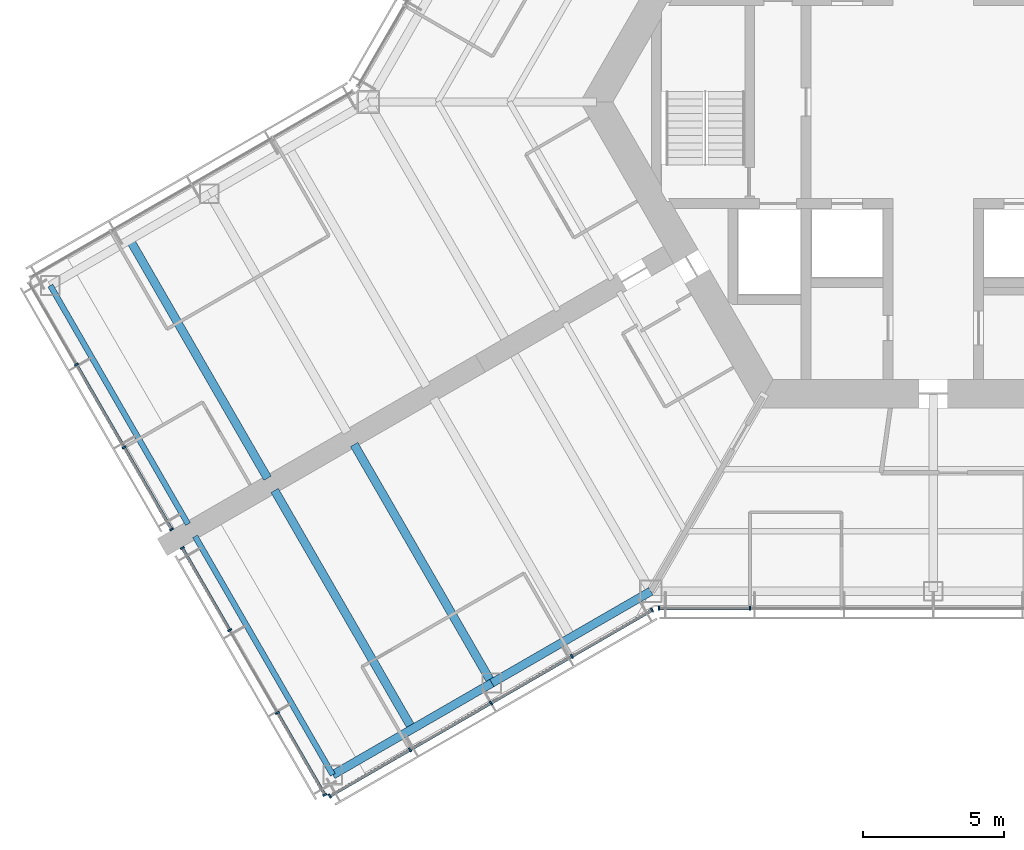
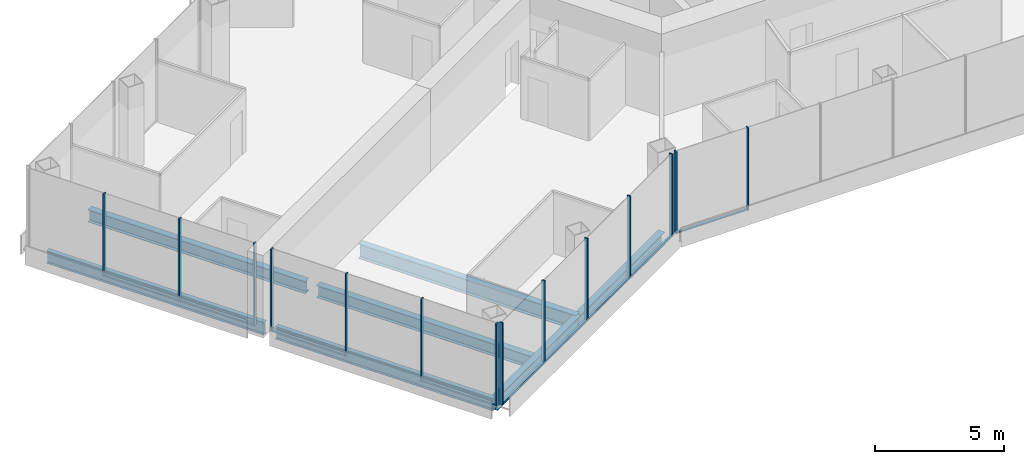
# One storey, part 2 of 18: 23 members, 7 beams, 4 elements without a shape of their own.
"""IFC4 building model written with IfcOpenShell, lengths in metres."""

from ifc_helpers import new_model, si_unit, direction, frame, origin, origin_2d, place, context, subcontext, project, spatial, rectangle, i_section, extrude, material, material_profile, profile_set, type_object, element, aggregate, save


model = new_model("IFC4")

# Units and contexts
model_context = context("Model", 3, precision=1e-05, world=origin(), true_north=direction((0.0, 1.0)))
body_context = subcontext(model_context, "Body", "Model", "MODEL_VIEW")
ifc_project = project(units=[si_unit("LENGTHUNIT", "METRE"), si_unit("AREAUNIT", "SQUARE_METRE"), si_unit("VOLUMEUNIT", "CUBIC_METRE"), si_unit("PLANEANGLEUNIT", "RADIAN"), si_unit("MASSUNIT", "GRAM", prefix="KILO")], contexts=[model_context])

# Site, building, storey
site_placement = place(None, origin())
site = spatial("IfcSite", under=ifc_project, at=site_placement, CompositionType="ELEMENT")
building_placement = place(site_placement, origin())
building = spatial("IfcBuilding", under=site, at=building_placement, Name="Kasaneha Research Tower", CompositionType="ELEMENT")
storey_placement = place(building_placement, frame((0.0, 0.0, 172.10009765625)))
storey = spatial("IfcBuildingStorey", under=building, at=storey_placement, Name="L43", CompositionType="ELEMENT", Elevation=172.10009765625)

# Beams
ifc_material_1 = material(Name="Steel SN490B", Category="steel")
ifc_material_profile_1 = material_profile(ifc_material_1, i_section(OverallWidth=0.300048828125, OverallDepth=0.58203125, WebThickness=0.011962890625, FlangeThickness=0.01708984375, FilletRadius=0.012939453125, at=origin_2d()), Name="H-582x300x12x17")
ifc_profile_set_1 = profile_set([ifc_material_profile_1], Name="Steel SN490B")
beam_type_1 = type_object("IfcBeamType", Name="B2-3 secondary beam H-582x300x12x17", PredefinedType="JOIST", material=ifc_profile_set_1)
for number, where, z_axis, x_axis, name in (
    (1, (-28.44384765625, -4.875, -0.441162109375), (0.499995560238, -0.866027967067, 0.0), (0.866027967067, 0.499995560238, 0.0), "Secondary beam WBBP2 L43"),
    (2, (-18.44384765625, -22.195556640625, -0.441162109375), (-0.499995560238, 0.866027967067, 0.0), (-0.866027967067, -0.499995560238, 0.0), "Secondary beam WBBN2 L43"),
):
    element("IfcBeam", number, at=place(storey_placement, frame(where, z_axis=z_axis, x_axis=x_axis)), inside=storey, type_object=beam_type_1, Name=name, PredefinedType="JOIST", context=body_context, shape_type="SweptSolid", body=[
        extrude(i_section(OverallWidth=0.300048828125, OverallDepth=0.58203125, WebThickness=0.011962890625, FlangeThickness=0.01708984375, FilletRadius=0.012939453125, at=origin_2d()), origin(), (0.0, 0.0, 1.0), 9.75),
    ])

# Curtain wall, members
ifc_material_2 = material(Name="Glass and aluminium", Category="aluminium")
curtain_wall_type = type_object("IfcCurtainWallType", Name="Mid-rise office curtain wall", PredefinedType="USERDEFINED", material=ifc_material_2)
curtain_wall_1_placement = place(storey_placement, origin())
curtain_wall_1 = element("IfcCurtainWall", 3, at=curtain_wall_1_placement, inside=storey, type_object=curtain_wall_type, Name="CW-O2 L43 run 01a", ObjectType="UNITISED CURTAIN WALL", PredefinedType="USERDEFINED")
ifc_material_3 = material(Name="Aluminium 6063-T6", Category="aluminium")
ifc_material_profile_2 = material_profile(ifc_material_3, rectangle(XDim=0.06005859375, YDim=0.14990234375, at=origin_2d()), Name="CW-O2 mullion 60x150")
ifc_profile_set_2 = profile_set([ifc_material_profile_2], Name="Aluminium 6063-T6")
member_type_1 = type_object("IfcMemberType", Name="CW-O2 mullion", PredefinedType="MULLION", material=ifc_profile_set_2)
member_1_placement = place(storey_placement, frame((-9.709228515625, -17.92041015625, 0.0), z_axis=(0.0, 0.0, 1.0), x_axis=(1.0, 0.0, 0.0)))
member_1 = element("IfcMember", 4, at=member_1_placement, type_object=member_type_1, Name="CW-O2 mullion 1", PredefinedType="MULLION", context=body_context, shape_type="SweptSolid", body=[
    extrude(rectangle(XDim=0.06005859375, YDim=0.14990234375, at=origin_2d()), origin(), (0.0, 0.0, 1.0), 3.89990234375),
])
member_2_placement = place(storey_placement, frame((-6.492919921875, -17.92041015625, 0.0), z_axis=(0.0, 0.0, 1.0), x_axis=(1.0, 0.0, 0.0)))
member_2 = element("IfcMember", 5, at=member_2_placement, type_object=member_type_1, Name="CW-O2 mullion 2", PredefinedType="MULLION", context=body_context, shape_type="SweptSolid", body=[
    extrude(rectangle(XDim=0.06005859375, YDim=0.14990234375, at=origin_2d()), origin(), (0.0, 0.0, 1.0), 3.89990234375),
])

curtain_wall_2_placement = place(storey_placement, origin())
curtain_wall_2 = element("IfcCurtainWall", 6, at=curtain_wall_2_placement, inside=storey, type_object=curtain_wall_type, Name="CW-O2 L43 run 10a", ObjectType="UNITISED CURTAIN WALL", PredefinedType="USERDEFINED")
member_3_placement = place(storey_placement, frame((-30.336181640625, -9.297119140625, 0.0), z_axis=(0.0, 0.0, 1.0), x_axis=(0.500000011442, -0.866025397178, 0.0)))
member_3 = element("IfcMember", 7, at=member_3_placement, type_object=member_type_1, Name="CW-O2 mullion 2", PredefinedType="MULLION", context=body_context, shape_type="SweptSolid", body=[
    extrude(rectangle(XDim=0.06005859375, YDim=0.14990234375, at=origin_2d()), origin(), (0.0, 0.0, 1.0), 3.89990234375),
])
member_4_placement = place(storey_placement, frame((-28.64453125, -12.22705078125, 0.0), z_axis=(0.0, 0.0, 1.0), x_axis=(0.500000011442, -0.866025397178, 0.0)))
member_4 = element("IfcMember", 8, at=member_4_placement, type_object=member_type_1, Name="CW-O2 mullion 3", PredefinedType="MULLION", context=body_context, shape_type="SweptSolid", body=[
    extrude(rectangle(XDim=0.06005859375, YDim=0.14990234375, at=origin_2d()), origin(), (0.0, 0.0, 1.0), 3.89990234375),
])
member_5_placement = place(storey_placement, frame((-26.968017578125, -15.131103515625, 0.0), z_axis=(0.0, 0.0, 1.0), x_axis=(0.500000011442, -0.866025397178, 0.0)))
member_5 = element("IfcMember", 9, at=member_5_placement, type_object=member_type_1, Name="CW-O2 mullion 4", PredefinedType="MULLION", context=body_context, shape_type="SweptSolid", body=[
    extrude(rectangle(XDim=0.06005859375, YDim=0.14990234375, at=origin_2d()), origin(), (0.0, 0.0, 1.0), 3.89990234375),
])

curtain_wall_3_placement = place(storey_placement, origin())
curtain_wall_3 = element("IfcCurtainWall", 10, at=curtain_wall_3_placement, inside=storey, type_object=curtain_wall_type, Name="CW-O2 L43 run 11a", ObjectType="UNITISED CURTAIN WALL", PredefinedType="USERDEFINED")
member_6_placement = place(storey_placement, frame((-26.587890625, -15.789306640625, 0.0), z_axis=(0.0, 0.0, 1.0), x_axis=(0.500000011442, -0.866025397178, 0.0)))
member_6 = element("IfcMember", 11, at=member_6_placement, type_object=member_type_1, Name="CW-O2 mullion 1", PredefinedType="MULLION", context=body_context, shape_type="SweptSolid", body=[
    extrude(rectangle(XDim=0.06005859375, YDim=0.14990234375, at=origin_2d()), origin(), (0.0, 0.0, 1.0), 3.89990234375),
])
member_7_placement = place(storey_placement, frame((-24.911376953125, -18.693359375, 0.0), z_axis=(0.0, 0.0, 1.0), x_axis=(0.500000011442, -0.866025397178, 0.0)))
member_7 = element("IfcMember", 12, at=member_7_placement, type_object=member_type_1, Name="CW-O2 mullion 2", PredefinedType="MULLION", context=body_context, shape_type="SweptSolid", body=[
    extrude(rectangle(XDim=0.06005859375, YDim=0.14990234375, at=origin_2d()), origin(), (0.0, 0.0, 1.0), 3.89990234375),
])
member_8_placement = place(storey_placement, frame((-23.2197265625, -21.62353515625, 0.0), z_axis=(0.0, 0.0, 1.0), x_axis=(0.500000011442, -0.866025397178, 0.0)))
member_8 = element("IfcMember", 13, at=member_8_placement, type_object=member_type_1, Name="CW-O2 mullion 3", PredefinedType="MULLION", context=body_context, shape_type="SweptSolid", body=[
    extrude(rectangle(XDim=0.06005859375, YDim=0.14990234375, at=origin_2d()), origin(), (0.0, 0.0, 1.0), 3.89990234375),
])
member_9_placement = place(storey_placement, frame((-21.54296875, -24.527587890625, 0.0), z_axis=(0.0, 0.0, 1.0), x_axis=(0.500000011442, -0.866025397178, 0.0)))
member_9 = element("IfcMember", 14, at=member_9_placement, type_object=member_type_1, Name="CW-O2 mullion 4", PredefinedType="MULLION", context=body_context, shape_type="SweptSolid", body=[
    extrude(rectangle(XDim=0.06005859375, YDim=0.14990234375, at=origin_2d()), origin(), (0.0, 0.0, 1.0), 3.89990234375),
])

curtain_wall_4_placement = place(storey_placement, origin())
curtain_wall_4 = element("IfcCurtainWall", 15, at=curtain_wall_4_placement, inside=storey, type_object=curtain_wall_type, Name="CW-O2 L43 run 12a", ObjectType="UNITISED CURTAIN WALL", PredefinedType="USERDEFINED")
member_10_placement = place(storey_placement, frame((-21.365478515625, -24.5751953125, 0.0), z_axis=(0.0, 0.0, 1.0), x_axis=(0.866025411464, 0.499999986699, 0.0)))
member_10 = element("IfcMember", 16, at=member_10_placement, type_object=member_type_1, Name="CW-O2 mullion 1", PredefinedType="MULLION", context=body_context, shape_type="SweptSolid", body=[
    extrude(rectangle(XDim=0.06005859375, YDim=0.14990234375, at=origin_2d()), origin(), (0.0, 0.0, 1.0), 3.89990234375),
])
member_11_placement = place(storey_placement, frame((-18.52490234375, -22.935302734375, 0.0), z_axis=(0.0, 0.0, 1.0), x_axis=(0.866025411464, 0.499999986699, 0.0)))
member_11 = element("IfcMember", 17, at=member_11_placement, type_object=member_type_1, Name="CW-O2 mullion 2", PredefinedType="MULLION", context=body_context, shape_type="SweptSolid", body=[
    extrude(rectangle(XDim=0.06005859375, YDim=0.14990234375, at=origin_2d()), origin(), (0.0, 0.0, 1.0), 3.89990234375),
])
member_12_placement = place(storey_placement, frame((-15.65869140625, -21.2802734375, 0.0), z_axis=(0.0, 0.0, 1.0), x_axis=(0.866025411464, 0.499999986699, 0.0)))
member_12 = element("IfcMember", 18, at=member_12_placement, type_object=member_type_1, Name="CW-O2 mullion 3", PredefinedType="MULLION", context=body_context, shape_type="SweptSolid", body=[
    extrude(rectangle(XDim=0.06005859375, YDim=0.14990234375, at=origin_2d()), origin(), (0.0, 0.0, 1.0), 3.89990234375),
])
member_13_placement = place(storey_placement, frame((-12.792236328125, -19.62548828125, 0.0), z_axis=(0.0, 0.0, 1.0), x_axis=(0.866025411464, 0.499999986699, 0.0)))
member_13 = element("IfcMember", 19, at=member_13_placement, type_object=member_type_1, Name="CW-O2 mullion 4", PredefinedType="MULLION", context=body_context, shape_type="SweptSolid", body=[
    extrude(rectangle(XDim=0.06005859375, YDim=0.14990234375, at=origin_2d()), origin(), (0.0, 0.0, 1.0), 3.89990234375),
])
member_14_placement = place(storey_placement, frame((-9.951904296875, -17.985595703125, 0.0), z_axis=(0.0, 0.0, 1.0), x_axis=(0.866025411464, 0.499999986699, 0.0)))
member_14 = element("IfcMember", 20, at=member_14_placement, type_object=member_type_1, Name="CW-O2 mullion 5", PredefinedType="MULLION", context=body_context, shape_type="SweptSolid", body=[
    extrude(rectangle(XDim=0.06005859375, YDim=0.14990234375, at=origin_2d()), origin(), (0.0, 0.0, 1.0), 3.89990234375),
])

# Member
ifc_material_4 = material(Name="Aluminium 6063-T6", Category="aluminium")
ifc_material_profile_3 = material_profile(ifc_material_4, rectangle(XDim=0.110107421875, YDim=0.06005859375, at=origin_2d()), Name="CW-O2 transom 110x60")
ifc_profile_set_3 = profile_set([ifc_material_profile_3], Name="Aluminium 6063-T6")
member_type_2 = type_object("IfcMemberType", Name="CW-O2 transom", PredefinedType="USERDEFINED", material=ifc_profile_set_3)
member_15_placement = place(storey_placement, frame((-9.67919921875, -17.92041015625, 0.02978515625), z_axis=(1.0, 0.0, 0.0), x_axis=(0.0, 1.0, 0.0)))
member_15 = element("IfcMember", 21, at=member_15_placement, type_object=member_type_2, Name="CW-O2 transom 1", ObjectType="TRANSOM", PredefinedType="USERDEFINED", context=body_context, shape_type="SweptSolid", body=[
    extrude(rectangle(XDim=0.110107421875, YDim=0.06005859375, at=origin_2d()), origin(), (0.0, 0.0, 1.0), 3.156494140625),
])

aggregate(curtain_wall_1, [member_1, member_2, member_15])

member_16_placement = place(storey_placement, frame((-30.3212890625, -9.322998046875, 0.02978515625), z_axis=(0.499978935311, -0.866037565146, 0.0), x_axis=(0.866037565146, 0.499978935311, 0.0)))
member_16 = element("IfcMember", 22, at=member_16_placement, type_object=member_type_2, Name="CW-O2 transom 2", ObjectType="TRANSOM", PredefinedType="USERDEFINED", context=body_context, shape_type="SweptSolid", body=[
    extrude(rectangle(XDim=0.110107421875, YDim=0.06005859375, at=origin_2d()), origin(), (0.0, 0.0, 1.0), 3.323486328125),
])

member_17_placement = place(storey_placement, frame((-28.629638671875, -12.253173828125, 0.02978515625), z_axis=(0.500021914551, -0.866012751043, 0.0), x_axis=(0.866012751043, 0.500021914551, 0.0)))
member_17 = element("IfcMember", 23, at=member_17_placement, type_object=member_type_2, Name="CW-O2 transom 3", ObjectType="TRANSOM", PredefinedType="USERDEFINED", context=body_context, shape_type="SweptSolid", body=[
    extrude(rectangle(XDim=0.110107421875, YDim=0.06005859375, at=origin_2d()), origin(), (0.0, 0.0, 1.0), 3.293212890625),
])

aggregate(curtain_wall_2, [member_3, member_4, member_5, member_16, member_17])

member_18_placement = place(storey_placement, frame((-26.572998046875, -15.8154296875, 0.02978515625), z_axis=(0.500021914551, -0.866012751043, 0.0), x_axis=(0.866012751043, 0.500021914551, 0.0)))
member_18 = element("IfcMember", 24, at=member_18_placement, type_object=member_type_2, Name="CW-O2 transom 1", ObjectType="TRANSOM", PredefinedType="USERDEFINED", context=body_context, shape_type="SweptSolid", body=[
    extrude(rectangle(XDim=0.110107421875, YDim=0.06005859375, at=origin_2d()), origin(), (0.0, 0.0, 1.0), 3.293212890625),
])

member_19_placement = place(storey_placement, frame((-23.20458984375, -21.6494140625, 0.02978515625), z_axis=(0.500021914551, -0.866012751043, 0.0), x_axis=(0.866012751043, 0.500021914551, 0.0)))
member_19 = element("IfcMember", 25, at=member_19_placement, type_object=member_type_2, Name="CW-O2 transom 3", ObjectType="TRANSOM", PredefinedType="USERDEFINED", context=body_context, shape_type="SweptSolid", body=[
    extrude(rectangle(XDim=0.110107421875, YDim=0.06005859375, at=origin_2d()), origin(), (0.0, 0.0, 1.0), 3.293212890625),
])

aggregate(curtain_wall_3, [member_6, member_7, member_8, member_9, member_18, member_19])

member_20_placement = place(storey_placement, frame((-21.33935546875, -24.56005859375, 0.02978515625), z_axis=(0.866022692473, 0.500004696101, 0.0), x_axis=(-0.500004696101, 0.866022692473, 0.0)))
member_20 = element("IfcMember", 26, at=member_20_placement, type_object=member_type_2, Name="CW-O2 transom 1", ObjectType="TRANSOM", PredefinedType="USERDEFINED", context=body_context, shape_type="SweptSolid", body=[
    extrude(rectangle(XDim=0.110107421875, YDim=0.06005859375, at=origin_2d()), origin(), (0.0, 0.0, 1.0), 3.2197265625),
])

member_21_placement = place(storey_placement, frame((-18.4990234375, -22.920166015625, 0.02978515625), z_axis=(0.86604797581, 0.499960902066, 0.0), x_axis=(-0.499960902066, 0.86604797581, 0.0)))
member_21 = element("IfcMember", 27, at=member_21_placement, type_object=member_type_2, Name="CW-O2 transom 2", ObjectType="TRANSOM", PredefinedType="USERDEFINED", context=body_context, shape_type="SweptSolid", body=[
    extrude(rectangle(XDim=0.110107421875, YDim=0.06005859375, at=origin_2d()), origin(), (0.0, 0.0, 1.0), 3.249755859375),
])

member_22_placement = place(storey_placement, frame((-15.632568359375, -21.265380859375, 0.02978515625), z_axis=(0.866015446554, 0.500017246033, 0.0), x_axis=(-0.500017246033, 0.866015446554, 0.0)))
member_22 = element("IfcMember", 28, at=member_22_placement, type_object=member_type_2, Name="CW-O2 transom 3", ObjectType="TRANSOM", PredefinedType="USERDEFINED", context=body_context, shape_type="SweptSolid", body=[
    extrude(rectangle(XDim=0.110107421875, YDim=0.06005859375, at=origin_2d()), origin(), (0.0, 0.0, 1.0), 3.25),
])

member_23_placement = place(storey_placement, frame((-12.76611328125, -19.6103515625, 0.02978515625), z_axis=(0.866022692473, 0.500004696101, 0.0), x_axis=(-0.500004696101, 0.866022692473, 0.0)))
member_23 = element("IfcMember", 29, at=member_23_placement, type_object=member_type_2, Name="CW-O2 transom 4", ObjectType="TRANSOM", PredefinedType="USERDEFINED", context=body_context, shape_type="SweptSolid", body=[
    extrude(rectangle(XDim=0.110107421875, YDim=0.06005859375, at=origin_2d()), origin(), (0.0, 0.0, 1.0), 3.2197265625),
])

aggregate(curtain_wall_4, [member_10, member_11, member_12, member_13, member_14, member_20, member_21, member_22, member_23])

# Beams
ifc_material_5 = material(Name="Steel SN490B", Category="steel")
ifc_material_profile_4 = material_profile(ifc_material_5, i_section(OverallWidth=0.300048828125, OverallDepth=0.699951171875, WebThickness=0.012939453125, FlangeThickness=0.02392578125, FilletRadius=0.01806640625, at=origin_2d()), Name="H-700x300x13x24")
ifc_profile_set_4 = profile_set([ifc_material_profile_4], Name="Steel SN490B")
beam_type_2 = type_object("IfcBeamType", Name="G4-3 wing girder H-700x300x13x24", PredefinedType="BEAM", material=ifc_profile_set_4)
beam_placement = place(storey_placement, frame((-15.629150390625, -20.570556640625, -0.5), z_axis=(-0.499995560238, 0.866027967067, 0.0), x_axis=(-0.866027967067, -0.499995560238, 0.0)))
element("IfcBeam", 30, at=beam_placement, inside=storey, type_object=beam_type_2, Name="Wing girder WGBN L43", PredefinedType="BEAM", context=body_context, shape_type="SweptSolid", body=[
    extrude(i_section(OverallWidth=0.300048828125, OverallDepth=0.699951171875, WebThickness=0.012939453125, FlangeThickness=0.02392578125, FilletRadius=0.01806640625, at=origin_2d()), origin(), (0.0, 0.0, 1.0), 9.75),
])
ifc_material_6 = material(Name="Steel SN490B", Category="steel")
ifc_material_profile_5 = material_profile(ifc_material_6, i_section(OverallWidth=0.300048828125, OverallDepth=0.58203125, WebThickness=0.011962890625, FlangeThickness=0.01708984375, FilletRadius=0.012939453125, at=origin_2d()), Name="H-582x300x12x17")
ifc_profile_set_5 = profile_set([ifc_material_profile_5], Name="Steel SN490B")
beam_type_3 = type_object("IfcBeamType", Name="SB2-3 spandrel beam H-582x300x12x17", PredefinedType="SPANDREL", material=ifc_profile_set_5)
for number, where, z_axis, x_axis, name in (
    (31, (-10.0, -17.320556640625, -0.441162109375), (-0.866024837091, -0.50000098154, 0.0), (0.50000098154, -0.866024837091, 0.0), "Spandrel beam WSBN1 L43"),
    (32, (-15.629150390625, -20.570556640625, -0.441162109375), (-0.866024837091, -0.50000098154, 0.0), (0.50000098154, -0.866024837091, 0.0), "Spandrel beam WSBN2 L43"),
):
    element("IfcBeam", number, at=place(storey_placement, frame(where, z_axis=z_axis, x_axis=x_axis)), inside=storey, type_object=beam_type_3, Name=name, PredefinedType="SPANDREL", context=body_context, shape_type="SweptSolid", body=[
        extrude(i_section(OverallWidth=0.300048828125, OverallDepth=0.58203125, WebThickness=0.011962890625, FlangeThickness=0.01708984375, FilletRadius=0.012939453125, at=origin_2d()), origin(), (0.0, 0.0, 1.0), 6.5),
    ])
ifc_material_7 = material(Name="Steel SN490B", Category="steel")
ifc_material_profile_6 = material_profile(ifc_material_7, i_section(OverallWidth=0.199951171875, OverallDepth=0.60009765625, WebThickness=0.010986328125, FlangeThickness=0.01708984375, FilletRadius=0.012939453125, at=origin_2d()), Name="H-600x200x11x17")
ifc_profile_set_6 = profile_set([ifc_material_profile_6], Name="Steel SN490B")
beam_type_4 = type_object("IfcBeamType", Name="SB3-3 spandrel beam H-600x200x11x17", PredefinedType="SPANDREL", material=ifc_profile_set_6)
for number, where, z_axis, x_axis, name in (
    (33, (-31.25830078125, -6.5, -0.4501953125), (0.499995560238, -0.866027967067, 0.0), (0.866027967067, 0.499995560238, 0.0), "Spandrel beam WTBP L43"),
    (34, (-21.25830078125, -23.820556640625, -0.4501953125), (-0.499995560238, 0.866027967067, 0.0), (-0.866027967067, -0.499995560238, 0.0), "Spandrel beam WTBN L43"),
):
    element("IfcBeam", number, at=place(storey_placement, frame(where, z_axis=z_axis, x_axis=x_axis)), inside=storey, type_object=beam_type_4, Name=name, PredefinedType="SPANDREL", context=body_context, shape_type="SweptSolid", body=[
        extrude(i_section(OverallWidth=0.199951171875, OverallDepth=0.60009765625, WebThickness=0.010986328125, FlangeThickness=0.01708984375, FilletRadius=0.012939453125, at=origin_2d()), origin(), (0.0, 0.0, 1.0), 9.75),
    ])

save(model, "model.ifc")
